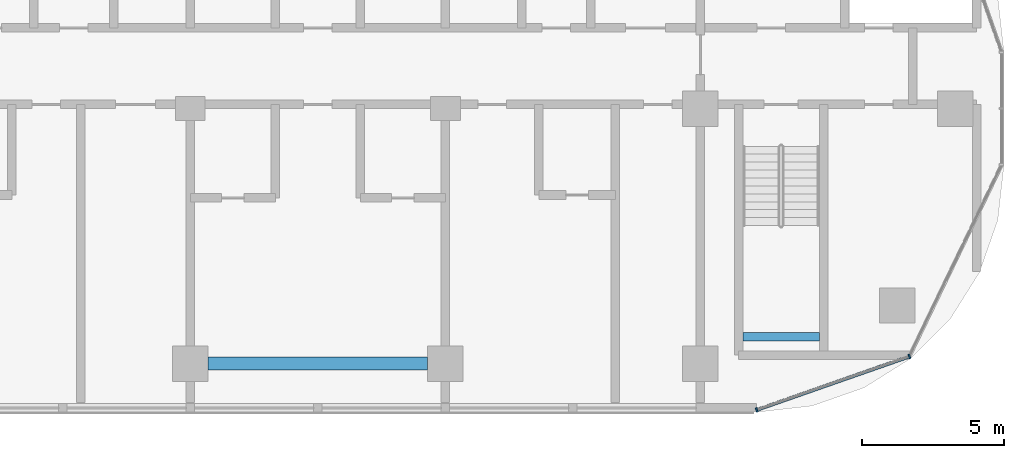
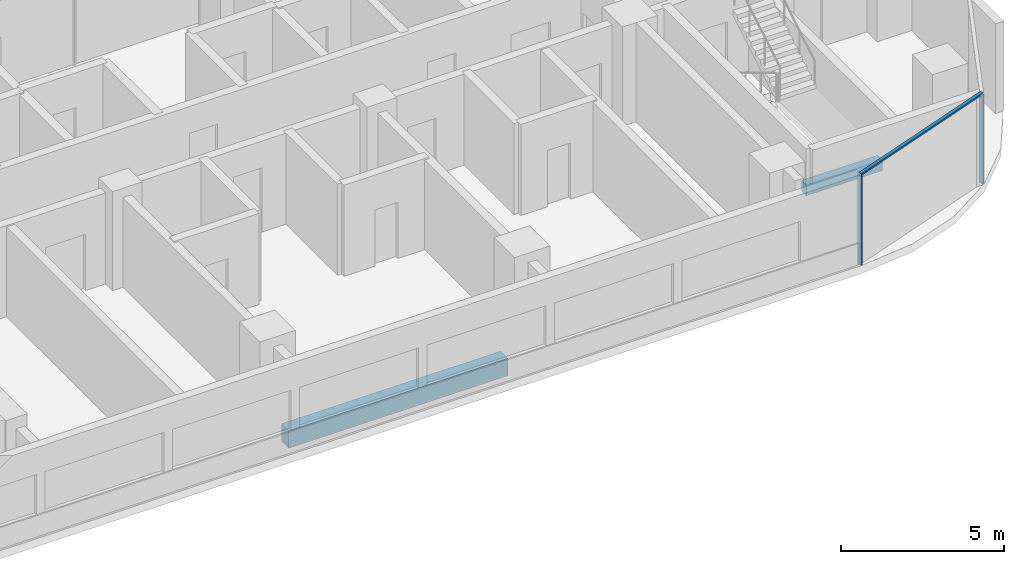
# One storey, part 3 of 22: 3 members, 2 beams, 1 element without a shape of its own.
"""IFC4 building model written with IfcOpenShell, lengths in metres."""

from ifc_helpers import new_model, si_unit, direction, frame, origin, origin_2d, place, context, subcontext, project, spatial, rectangle, extrude, material, material_profile, profile_set, type_object, element, aggregate, save


model = new_model("IFC4")

# Units and contexts
model_context = context("Model", 3, precision=1e-05, world=origin(), true_north=direction((0.0, 1.0)))
body_context = subcontext(model_context, "Body", "Model", "MODEL_VIEW")
ifc_project = project(units=[si_unit("LENGTHUNIT", "METRE"), si_unit("AREAUNIT", "SQUARE_METRE"), si_unit("VOLUMEUNIT", "CUBIC_METRE"), si_unit("PLANEANGLEUNIT", "RADIAN"), si_unit("MASSUNIT", "GRAM", prefix="KILO")], contexts=[model_context])

# Site, building, storey
site_placement = place(None, origin())
site = spatial("IfcSite", under=ifc_project, at=site_placement, CompositionType="ELEMENT")
building_placement = place(site_placement, origin())
building = spatial("IfcBuilding", under=site, at=building_placement, Name="Ogive Portal Towers", CompositionType="ELEMENT")
storey_placement = place(building_placement, frame((0.0, 0.0, 131.5)))
storey = spatial("IfcBuildingStorey", under=building, at=storey_placement, Name="L32", CompositionType="ELEMENT", Elevation=131.5)

# Beam
ifc_material_1 = material(Name="Concrete C40/50", Category="concrete")
ifc_material_profile_1 = material_profile(ifc_material_1, rectangle(XDim=0.300048828125, YDim=0.39990234375, at=origin_2d()), Name="RC 300x400")
ifc_profile_set_1 = profile_set([ifc_material_profile_1], Name="Concrete C40/50")
beam_type_1 = type_object("IfcBeamType", Name="BEAM RC 300x400", PredefinedType="BEAM", material=ifc_profile_set_1)
beam_1_placement = place(storey_placement, frame((87.0, 22.449951171875, 1.449951171875), z_axis=(1.0, 0.0, 0.0), x_axis=(0.0, 1.0, 0.0)))
element("IfcBeam", 1, at=beam_1_placement, inside=storey, type_object=beam_type_1, Name="Landing beam L32", PredefinedType="BEAM", context=body_context, shape_type="SweptSolid", body=[
    extrude(rectangle(XDim=0.300048828125, YDim=0.39990234375, at=origin_2d()), origin(), (0.0, 0.0, 1.0), 2.699951171875),
])

# Curtain wall, members
ifc_material_2 = material(Name="Glass, clear low-iron insulated glazing", Category="glass")
curtain_wall_type = type_object("IfcCurtainWallType", Name="CW FRONT RIBBON 4500", PredefinedType="NOTDEFINED", material=ifc_material_2)
curtain_wall_placement = place(storey_placement, origin())
curtain_wall = element("IfcCurtainWall", 2, at=curtain_wall_placement, inside=storey, type_object=curtain_wall_type, Name="A:L32:f08:cwa", PredefinedType="NOTDEFINED")
ifc_material_3 = material(Name="Aluminium 6063 anodised", Category="aluminium")
ifc_material_profile_2 = material_profile(ifc_material_3, rectangle(XDim=0.159912109375, YDim=0.06005859375, at=origin_2d()), Name="AL 60x160")
ifc_profile_set_2 = profile_set([ifc_material_profile_2], Name="Aluminium 6063 anodised")
member_type_1 = type_object("IfcMemberType", Name="CW MULLION 60x160", PredefinedType="MULLION", material=ifc_profile_set_2)
member_1_placement = place(storey_placement, frame((87.486328125, 19.864990234375, 0.0), z_axis=(0.0, 0.0, 1.0), x_axis=(-0.33027906196, 0.943883330307, 0.0)))
member_1 = element("IfcMember", 3, at=member_1_placement, type_object=member_type_1, Name="mullion", PredefinedType="MULLION", context=body_context, shape_type="SweptSolid", body=[
    extrude(rectangle(XDim=0.159912109375, YDim=0.06005859375, at=origin_2d()), origin(), (0.0, 0.0, 1.0), 3.340087890625),
])
member_2_placement = place(storey_placement, frame((92.8759765625, 21.7509765625, 0.0), z_axis=(0.0, 0.0, 1.0), x_axis=(-0.33027906196, 0.943883330307, 0.0)))
member_2 = element("IfcMember", 4, at=member_2_placement, type_object=member_type_1, Name="mullion", PredefinedType="MULLION", context=body_context, shape_type="SweptSolid", body=[
    extrude(rectangle(XDim=0.159912109375, YDim=0.06005859375, at=origin_2d()), origin(), (0.0, 0.0, 1.0), 3.340087890625),
])
ifc_material_profile_3 = material_profile(ifc_material_3, rectangle(XDim=0.1201171875, YDim=0.06005859375, at=origin_2d()), Name="AL 120x60")
ifc_profile_set_3 = profile_set([ifc_material_profile_3], Name="Aluminium 6063 anodised")
member_type_2 = type_object("IfcMemberType", Name="CW TRANSOM 60x120", PredefinedType="USERDEFINED", material=ifc_profile_set_3)
member_3_placement = place(storey_placement, frame((87.486328125, 19.864990234375, 3.3701171875), z_axis=(0.943879684746, 0.330289480189, 0.0), x_axis=(-0.330289480189, 0.943879684746, 0.0)))
member_3 = element("IfcMember", 5, at=member_3_placement, type_object=member_type_2, Name="transom", ObjectType="TRANSOM", PredefinedType="USERDEFINED", context=body_context, shape_type="SweptSolid", body=[
    extrude(rectangle(XDim=0.1201171875, YDim=0.06005859375, at=origin_2d()), origin(), (0.0, 0.0, 1.0), 5.710205078125),
])
aggregate(curtain_wall, [member_3, member_1, member_2])

# Beam
ifc_material_4 = material(Name="Concrete C50/60", Category="concrete")
ifc_material_profile_4 = material_profile(ifc_material_4, rectangle(XDim=0.449951171875, YDim=0.64990234375, at=origin_2d()), Name="RC 450x650")
ifc_profile_set_4 = profile_set([ifc_material_profile_4], Name="Concrete C50/60")
beam_type_2 = type_object("IfcBeamType", Name="SPANDREL BEAM RC 450x650", PredefinedType="BEAM", material=ifc_profile_set_4)
beam_2_placement = place(storey_placement, frame((75.875, 21.5, -0.625), z_axis=(-1.0, 0.0, 0.0), x_axis=(0.0, -1.0, 0.0)))
element("IfcBeam", 6, at=beam_2_placement, inside=storey, type_object=beam_type_2, Name="Spandrel beam L32", PredefinedType="BEAM", context=body_context, shape_type="SweptSolid", body=[
    extrude(rectangle(XDim=0.449951171875, YDim=0.64990234375, at=origin_2d()), origin(), (0.0, 0.0, 1.0), 7.75),
])

save(model, "model.ifc")
